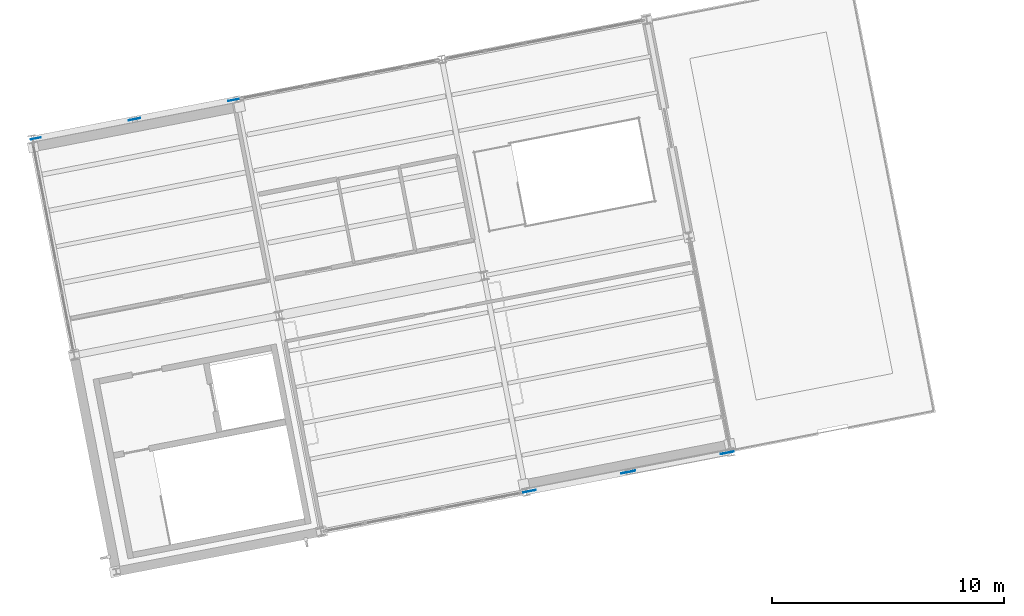
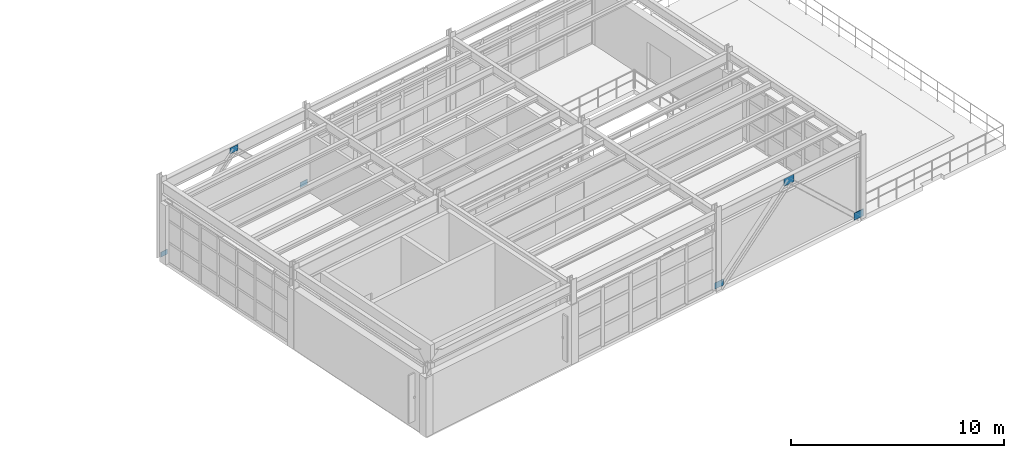
# One storey, part 74 of 102: 6 plates.
"""IFC4 building model written with IfcOpenShell, lengths in metres."""

from ifc_helpers import new_model, si_unit, direction, frame, origin, origin_2d, place, context, subcontext, project, spatial, rectangle, extrude, material, layer, layer_set, type_object, element, save


model = new_model("IFC4")

# Units and contexts
model_context = context("Model", 3, precision=1e-05, world=origin(), true_north=direction((0.0, 1.0)))
body_context = subcontext(model_context, "Body", "Model", "MODEL_VIEW")
ifc_project = project(units=[si_unit("LENGTHUNIT", "METRE"), si_unit("AREAUNIT", "SQUARE_METRE"), si_unit("VOLUMEUNIT", "CUBIC_METRE"), si_unit("PLANEANGLEUNIT", "RADIAN"), si_unit("MASSUNIT", "GRAM", prefix="KILO")], contexts=[model_context])

# Site, building, storey
site_placement = place(None, origin())
site = spatial("IfcSite", under=ifc_project, at=site_placement, CompositionType="ELEMENT")
building_placement = place(site_placement, origin())
building = spatial("IfcBuilding", under=site, at=building_placement, Name="Vireo Bluff Cable Station", CompositionType="ELEMENT")
storey_placement = place(building_placement, frame((0.0, 0.0, 9.60009765625)))
storey = spatial("IfcBuildingStorey", under=building, at=storey_placement, Name="L02", CompositionType="ELEMENT", Elevation=9.60009765625)

# Plates
ifc_material = material(Name="Steel ASTM A572 Gr. 50", Category="steel")
ifc_layer_1 = layer(ifc_material, 0.01611328125, Name="Steel ASTM A572 Gr. 50")
ifc_layer_set_1 = layer_set([ifc_layer_1], Name="Steel ASTM A572 Gr. 50")
plate_type_1 = type_object("IfcPlateType", Name="GUSSET-420X280X16", PredefinedType="USERDEFINED", material=ifc_layer_set_1)
plate_1_placement = place(storey_placement, frame((6.03173828125, 24.181396484375, 0.080078125), z_axis=(0.0, 0.0, 1.0), x_axis=(0.981627183448, 0.190808995377, 0.0)))
element("IfcPlate", 1, at=plate_1_placement, inside=storey, type_object=plate_type_1, Name="V5 L02 brace base gusset plate 260", ObjectType="GUSSET PLATE", PredefinedType="USERDEFINED", context=body_context, shape_type="SweptSolid", body=[
    extrude(rectangle(XDim=0.419921875, YDim=0.01611328125, at=origin_2d()), origin(), (0.0, 0.0, 1.0), 0.280029296875),
])
ifc_layer_2 = layer(ifc_material, 0.01806640625, Name="Steel ASTM A572 Gr. 50")
ifc_layer_set_2 = layer_set([ifc_layer_2], Name="Steel ASTM A572 Gr. 50")
plate_type_2 = type_object("IfcPlateType", Name="GUSSET-460X300X18", PredefinedType="USERDEFINED", material=ifc_layer_set_2)
plate_2_placement = place(storey_placement, frame((14.55224609375, 25.837646484375, 0.06982421875), z_axis=(0.0, 0.0, 1.0), x_axis=(0.981627183448, 0.190808995377, 0.0)))
element("IfcPlate", 2, at=plate_2_placement, inside=storey, type_object=plate_type_2, Name="V5 L02 brace base gusset plate 261", ObjectType="GUSSET PLATE", PredefinedType="USERDEFINED", context=body_context, shape_type="SweptSolid", body=[
    extrude(rectangle(XDim=0.4599609375, YDim=0.01806640625, at=origin_2d()), origin(), (0.0, 0.0, 1.0), 0.300048828125),
])
ifc_layer_3 = layer(ifc_material, 0.02001953125, Name="Steel ASTM A572 Gr. 50")
ifc_layer_set_3 = layer_set([ifc_layer_3], Name="Steel ASTM A572 Gr. 50")
plate_type_3 = type_object("IfcPlateType", Name="GUSSET-500X340X20", PredefinedType="USERDEFINED", material=ifc_layer_set_3)
plate_3_placement = place(storey_placement, frame((10.2919921875, 25.009521484375, 4.009765625), z_axis=(0.0, 0.0, 1.0), x_axis=(0.981627183448, 0.190808995377, 0.0)))
element("IfcPlate", 3, at=plate_3_placement, inside=storey, type_object=plate_type_3, Name="V5 L02 chevron gusset plate 262", ObjectType="GUSSET PLATE", PredefinedType="USERDEFINED", context=body_context, shape_type="SweptSolid", body=[
    extrude(rectangle(XDim=0.5, YDim=0.02001953125, at=origin_2d()), origin(), (0.0, 0.0, 1.0), 0.340087890625),
])
ifc_layer_4 = layer(ifc_material, 0.02197265625, Name="Steel ASTM A572 Gr. 50")
ifc_layer_set_4 = layer_set([ifc_layer_4], Name="Steel ASTM A572 Gr. 50")
plate_type_4 = type_object("IfcPlateType", Name="GUSSET-540X360X22", PredefinedType="USERDEFINED", material=ifc_layer_set_4)
plate_4_placement = place(storey_placement, frame((27.326416015625, 8.965087890625, 0.0400390625), z_axis=(0.0, 0.0, 1.0), x_axis=(0.981627183448, 0.190808995377, 0.0)))
element("IfcPlate", 4, at=plate_4_placement, inside=storey, type_object=plate_type_4, Name="V5 L02 brace base gusset plate 263", ObjectType="GUSSET PLATE", PredefinedType="USERDEFINED", context=body_context, shape_type="SweptSolid", body=[
    extrude(rectangle(XDim=0.5400390625, YDim=0.02197265625, at=origin_2d()), origin(), (0.0, 0.0, 1.0), 0.360107421875),
])
ifc_layer_5 = layer(ifc_material, 0.02392578125, Name="Steel ASTM A572 Gr. 50")
ifc_layer_set_5 = layer_set([ifc_layer_5], Name="Steel ASTM A572 Gr. 50")
plate_type_5 = type_object("IfcPlateType", Name="GUSSET-580X400X24", PredefinedType="USERDEFINED", material=ifc_layer_set_5)
plate_5_placement = place(storey_placement, frame((35.846923828125, 10.621337890625, 0.02001953125), z_axis=(0.0, 0.0, 1.0), x_axis=(0.981627183448, 0.190808995377, 0.0)))
element("IfcPlate", 5, at=plate_5_placement, inside=storey, type_object=plate_type_5, Name="V5 L02 brace base gusset plate 264", ObjectType="GUSSET PLATE", PredefinedType="USERDEFINED", context=body_context, shape_type="SweptSolid", body=[
    extrude(rectangle(XDim=0.580078125, YDim=0.02392578125, at=origin_2d()), origin(), (0.0, 0.0, 1.0), 0.39990234375),
])
ifc_layer_6 = layer(ifc_material, 0.02490234375, Name="Steel ASTM A572 Gr. 50")
ifc_layer_set_6 = layer_set([ifc_layer_6], Name="Steel ASTM A572 Gr. 50")
plate_type_6 = type_object("IfcPlateType", Name="GUSSET-620X420X25", PredefinedType="USERDEFINED", material=ifc_layer_set_6)
plate_6_placement = place(storey_placement, frame((31.586669921875, 9.793212890625, 3.969970703125), z_axis=(0.0, 0.0, 1.0), x_axis=(0.981627183448, 0.190808995377, 0.0)))
element("IfcPlate", 6, at=plate_6_placement, inside=storey, type_object=plate_type_6, Name="V5 L02 chevron gusset plate 265", ObjectType="GUSSET PLATE", PredefinedType="USERDEFINED", context=body_context, shape_type="SweptSolid", body=[
    extrude(rectangle(XDim=0.6201171875, YDim=0.02490234375, at=origin_2d()), origin(), (0.0, 0.0, 1.0), 0.419921875),
])

save(model, "model.ifc")
